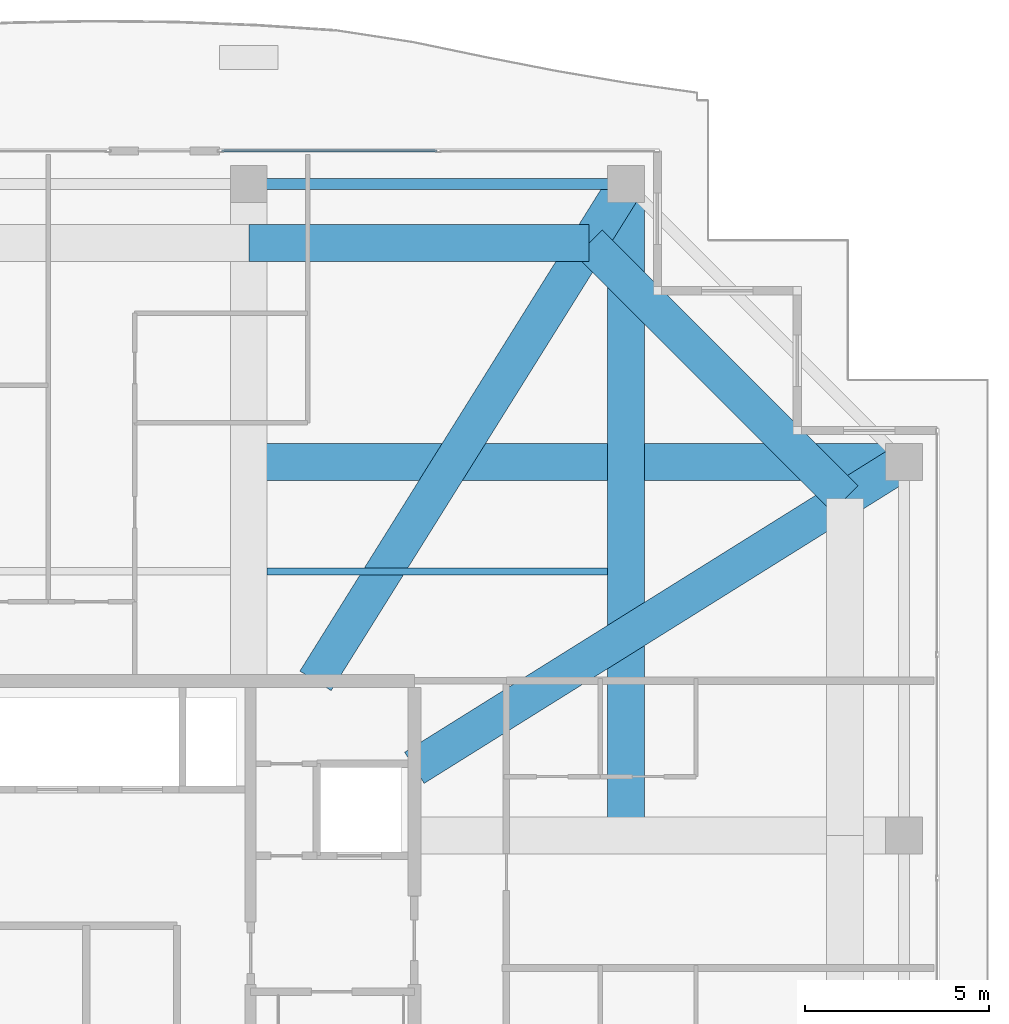
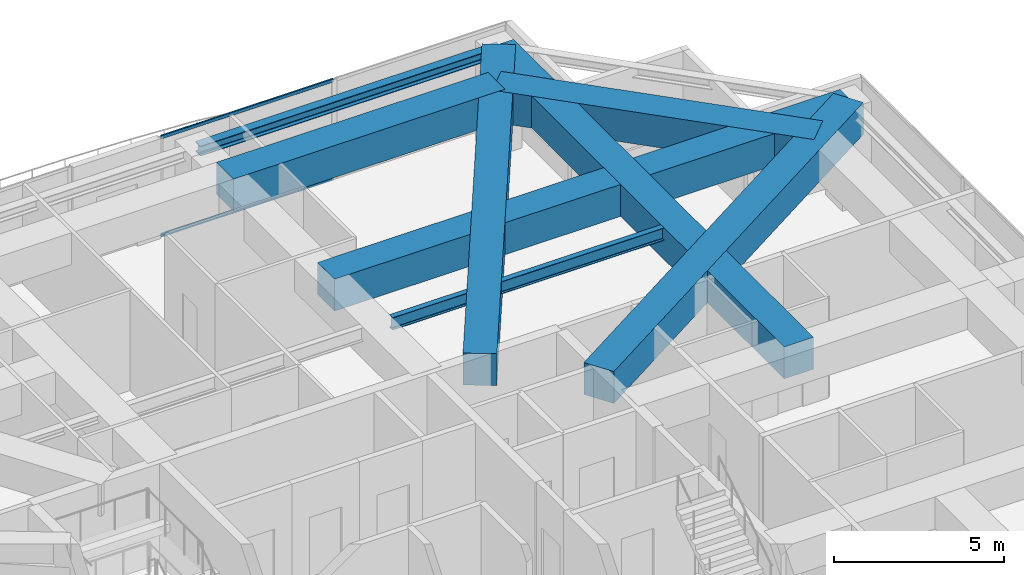
# One storey, part 25 of 40: 8 beams, 2 members, 1 element without a shape of its own.
"""IFC4 building model written with IfcOpenShell, lengths in metres."""

from ifc_helpers import new_model, si_unit, direction, frame, origin, origin_2d, place, context, subcontext, project, spatial, rectangle, hollow_rectangle, i_section, extrude, source, transform, mapped, material, layer, layer_set, material_profile, profile_set, type_object, element, aggregate, save


model = new_model("IFC4")

# Units and contexts
model_context = context("Model", 3, precision=1e-05, world=origin(), true_north=direction((0.0, 1.0)))
body_context = subcontext(model_context, "Body", "Model", "MODEL_VIEW")
ifc_project = project(units=[si_unit("LENGTHUNIT", "METRE"), si_unit("AREAUNIT", "SQUARE_METRE"), si_unit("VOLUMEUNIT", "CUBIC_METRE"), si_unit("PLANEANGLEUNIT", "RADIAN"), si_unit("MASSUNIT", "GRAM", prefix="KILO")], contexts=[model_context])

# Site, building, storey
site_placement = place(None, origin())
site = spatial("IfcSite", under=ifc_project, at=site_placement, CompositionType="ELEMENT")
building_placement = place(site_placement, origin())
building = spatial("IfcBuilding", under=site, at=building_placement, Name="Serunith Strait Residences", CompositionType="ELEMENT")
storey_placement = place(building_placement, frame((0.0, 0.0, 333.949951171875)))
storey = spatial("IfcBuildingStorey", under=building, at=storey_placement, Name="L83", CompositionType="ELEMENT", Elevation=333.949951171875)

# Beams
ifc_material_1 = material(Name="Steel S355J2", Category="steel")
ifc_material_profile_1 = material_profile(ifc_material_1, i_section(OverallWidth=0.300048828125, OverallDepth=0.360107421875, WebThickness=0.012451171875, FlangeThickness=0.0224609375, FilletRadius=0.027099609375, at=origin_2d()), Name="HEB 360")
ifc_profile_set_1 = profile_set([ifc_material_profile_1], Name="Steel S355J2")
beam_type_1 = type_object("IfcBeamType", Name="BM-HEB360", PredefinedType="BEAM", material=ifc_profile_set_1)
shared_shape_1 = source(origin(), body_context, "Body", "SweptSolid", [
    extrude(i_section(OverallWidth=0.300048828125, OverallDepth=0.360107421875, WebThickness=0.012451171875, FlangeThickness=0.0224609375, FilletRadius=0.027099609375, at=origin_2d()), origin(), (0.0, 0.0, 1.0), 10.25),
])
beam_1_placement = place(storey_placement, frame((47.14990234375, 47.10009765625, 3.427001953125), z_axis=(-1.0, 0.0, 0.0), x_axis=(0.0, -1.0, 0.0)))
element("IfcBeam", 1, at=beam_1_placement, inside=storey, type_object=beam_type_1, Name="L83 Perimeter Ring Beam 09", PredefinedType="BEAM", context=body_context, shape_type="MappedRepresentation", body=[
    mapped(shared_shape_1, transform((0.0, 0.0, 0.0), scale=1.0)),
])
ifc_material_2 = material(Name="Concrete C80/95", Category="concrete")
ifc_material_profile_2 = material_profile(ifc_material_2, rectangle(XDim=1.0, YDim=1.14990234375, at=origin_2d()), Name="RC 1000x1150")
ifc_profile_set_2 = profile_set([ifc_material_profile_2], Name="Concrete C80/95")
beam_type_2 = type_object("IfcBeamType", Name="BM-XFER-1000x1150", PredefinedType="BEAM", material=ifc_profile_set_2)
shared_shape_2 = source(origin(), body_context, "Body", "SweptSolid", [
    extrude(rectangle(XDim=1.0, YDim=1.14990234375, at=origin_2d()), origin(), (0.0, 0.0, 1.0), 17.7001953125),
])
beam_2_placement = place(storey_placement, frame((47.14990234375, 29.39990234375, 3.03515625), z_axis=(0.0, 1.0, 0.0), x_axis=(-1.0, 0.0, 0.0)))
element("IfcBeam", 2, at=beam_2_placement, inside=storey, type_object=beam_type_2, Name="L83 Orthogonal Corner Girder TC-N4", PredefinedType="BEAM", context=body_context, shape_type="MappedRepresentation", body=[
    mapped(shared_shape_2, transform((0.0, 0.0, 0.0), scale=1.0)),
])
shared_shape_3 = source(origin(), body_context, "Body", "SweptSolid", [
    extrude(rectangle(XDim=1.0, YDim=1.14990234375, at=origin_2d()), origin(), (0.0, 0.0, 1.0), 17.800048828125),
])
beam_3_placement = place(storey_placement, frame((36.89990234375, 39.550048828125, 3.03515625), z_axis=(1.0, 0.0, 0.0), x_axis=(0.0, 1.0, 0.0)))
element("IfcBeam", 3, at=beam_3_placement, inside=storey, type_object=beam_type_2, Name="L83 Orthogonal Corner Girder TC-E4", PredefinedType="BEAM", context=body_context, shape_type="MappedRepresentation", body=[
    mapped(shared_shape_3, transform((0.0, 0.0, 0.0), scale=1.0)),
])
shared_shape_4 = source(origin(), body_context, "Body", "SweptSolid", [
    extrude(rectangle(XDim=1.0, YDim=1.14990234375, at=origin_2d()), origin(), (0.0, 0.0, 1.0), 15.919921875),
])
beam_4_placement = place(storey_placement, frame((47.14990234375, 47.10009765625, 3.03515625), z_axis=(-0.529998940003, -0.847998304005, 0.0), x_axis=(0.847998304005, -0.529998940003, 0.0)))
element("IfcBeam", 4, at=beam_4_placement, inside=storey, type_object=beam_type_2, Name="L83 Diagonal Corner Transfer Girder TC-N4", PredefinedType="BEAM", context=body_context, shape_type="MappedRepresentation", body=[
    mapped(shared_shape_4, transform((0.0, 0.0, 0.0), scale=1.0)),
])
shared_shape_5 = source(origin(), body_context, "Body", "SweptSolid", [
    extrude(rectangle(XDim=1.0, YDim=1.14990234375, at=origin_2d()), origin(), (0.0, 0.0, 1.0), 15.68408203125),
])
beam_5_placement = place(storey_placement, frame((54.699951171875, 39.550048828125, 3.03515625), z_axis=(-0.847999178509, -0.529997540795, 0.0), x_axis=(0.529997540795, -0.847999178509, 0.0)))
element("IfcBeam", 5, at=beam_5_placement, inside=storey, type_object=beam_type_2, Name="L83 Diagonal Corner Transfer Girder TC-E4", PredefinedType="BEAM", context=body_context, shape_type="MappedRepresentation", body=[
    mapped(shared_shape_5, transform((0.0, 0.0, 0.0), scale=1.0)),
])
shared_shape_6 = source(origin(), body_context, "Body", "SweptSolid", [
    extrude(rectangle(XDim=1.0, YDim=1.14990234375, at=origin_2d()), origin(), (0.0, 0.0, 1.0), 9.25),
])
beam_6_placement = place(storey_placement, frame((46.14990234375, 45.5, 3.03515625), z_axis=(-1.0, 0.0, 0.0), x_axis=(0.0, -1.0, 0.0)))
element("IfcBeam", 6, at=beam_6_placement, inside=storey, type_object=beam_type_2, Name="L83 Flare Upper Ring Transfer Girder 09", PredefinedType="BEAM", context=body_context, shape_type="MappedRepresentation", body=[
    mapped(shared_shape_6, transform((0.0, 0.0, 0.0), scale=1.0)),
])
shared_shape_7 = source(origin(), body_context, "Body", "SweptSolid", [
    extrude(rectangle(XDim=1.0, YDim=1.14990234375, at=origin_2d()), origin(), (0.0, 0.0, 1.0), 9.828857421875),
])
beam_7_placement = place(storey_placement, frame((53.10009765625, 38.550048828125, 3.03515625), z_axis=(-0.707119200622, 0.707094361533, 0.0), x_axis=(-0.707094361533, -0.707119200622, 0.0)))
element("IfcBeam", 7, at=beam_7_placement, inside=storey, type_object=beam_type_2, Name="L83 Flare Upper Ring Transfer Girder 08", PredefinedType="BEAM", context=body_context, shape_type="MappedRepresentation", body=[
    mapped(shared_shape_7, transform((0.0, 0.0, 0.0), scale=1.0)),
])
ifc_material_profile_3 = material_profile(ifc_material_1, i_section(OverallWidth=0.18994140625, OverallDepth=0.449951171875, WebThickness=0.009521484375, FlangeThickness=0.0146484375, FilletRadius=0.02099609375, at=origin_2d()), Name="IPE 450")
ifc_profile_set_3 = profile_set([ifc_material_profile_3], Name="Steel S355J2")
beam_type_3 = type_object("IfcBeamType", Name="BM-IPE450", PredefinedType="JOIST", material=ifc_profile_set_3)
shared_shape_8 = source(origin(), body_context, "Body", "SweptSolid", [
    extrude(i_section(OverallWidth=0.18994140625, OverallDepth=0.449951171875, WebThickness=0.009521484375, FlangeThickness=0.0146484375, FilletRadius=0.02099609375, at=origin_2d()), origin(), (0.0, 0.0, 1.0), 9.25),
])
beam_8_placement = place(storey_placement, frame((37.39990234375, 36.574951171875, 3.382080078125), z_axis=(1.0, 0.0, 0.0), x_axis=(0.0, 1.0, 0.0)))
element("IfcBeam", 8, at=beam_8_placement, inside=storey, type_object=beam_type_3, Name="L83 Composite Floor Joist 06", PredefinedType="JOIST", context=body_context, shape_type="MappedRepresentation", body=[
    mapped(shared_shape_8, transform((0.0, 0.0, 0.0), scale=1.0)),
])

# Curtain wall, members
ifc_material_3 = material(Name="Brushed Stainless-Silver Aluminium", Category="aluminium")
ifc_layer = layer(ifc_material_3, 0.199951171875, Name="Brushed Stainless-Silver Aluminium")
ifc_layer_set = layer_set([ifc_layer], Name="Brushed Stainless-Silver Aluminium")
curtain_wall_type = type_object("IfcCurtainWallType", Name="CW-SYS5", PredefinedType="NOTDEFINED", material=ifc_layer_set)
curtain_wall_placement = place(storey_placement, origin())
curtain_wall = element("IfcCurtainWall", 9, at=curtain_wall_placement, inside=storey, type_object=curtain_wall_type, Name="L83 N Unitised Fritted Curtain Wall", PredefinedType="NOTDEFINED")
ifc_material_profile_4 = material_profile(ifc_material_3, hollow_rectangle(XDim=0.06005859375, YDim=0.1201171875, WallThickness=0.00341796875, InnerFilletRadius=0.00537109375, OuterFilletRadius=0.0087890625, at=origin_2d()), Name="ALU 120x60x3.5")
ifc_profile_set_4 = profile_set([ifc_material_profile_4], Name="Brushed Stainless-Silver Aluminium")
member_type = type_object("IfcMemberType", Name="CW-SYS5-TRAN", PredefinedType="USERDEFINED", material=ifc_profile_set_4)
shared_shape_9 = source(origin(), body_context, "Body", "SweptSolid", [
    extrude(hollow_rectangle(XDim=0.06005859375, YDim=0.1201171875, WallThickness=0.00341796875, InnerFilletRadius=0.00537109375, OuterFilletRadius=0.0087890625, at=origin_2d()), origin(), (0.0, 0.0, 1.0), 5.8525390625),
])
member_1_placement = place(storey_placement, frame((42.017578125, 48.0, 0.030029296875), z_axis=(-1.0, 0.0, 0.0), x_axis=(0.0, -1.0, 0.0)))
member_1 = element("IfcMember", 10, at=member_1_placement, type_object=member_type, Name="CW-5 transom 2.1", ObjectType="TRANSOM", PredefinedType="USERDEFINED", context=body_context, shape_type="MappedRepresentation", body=[
    mapped(shared_shape_9, transform((0.0, 0.0, 0.0), scale=1.0)),
])
member_2_placement = place(storey_placement, frame((42.017578125, 48.0, 3.56494140625), z_axis=(-1.0, 0.0, 0.0), x_axis=(0.0, -1.0, 0.0)))
member_2 = element("IfcMember", 11, at=member_2_placement, type_object=member_type, Name="CW-5 transom 2.2", ObjectType="TRANSOM", PredefinedType="USERDEFINED", context=body_context, shape_type="MappedRepresentation", body=[
    mapped(shared_shape_9, transform((0.0, 0.0, 0.0), scale=1.0)),
])
aggregate(curtain_wall, [member_1, member_2])

save(model, "model.ifc")
